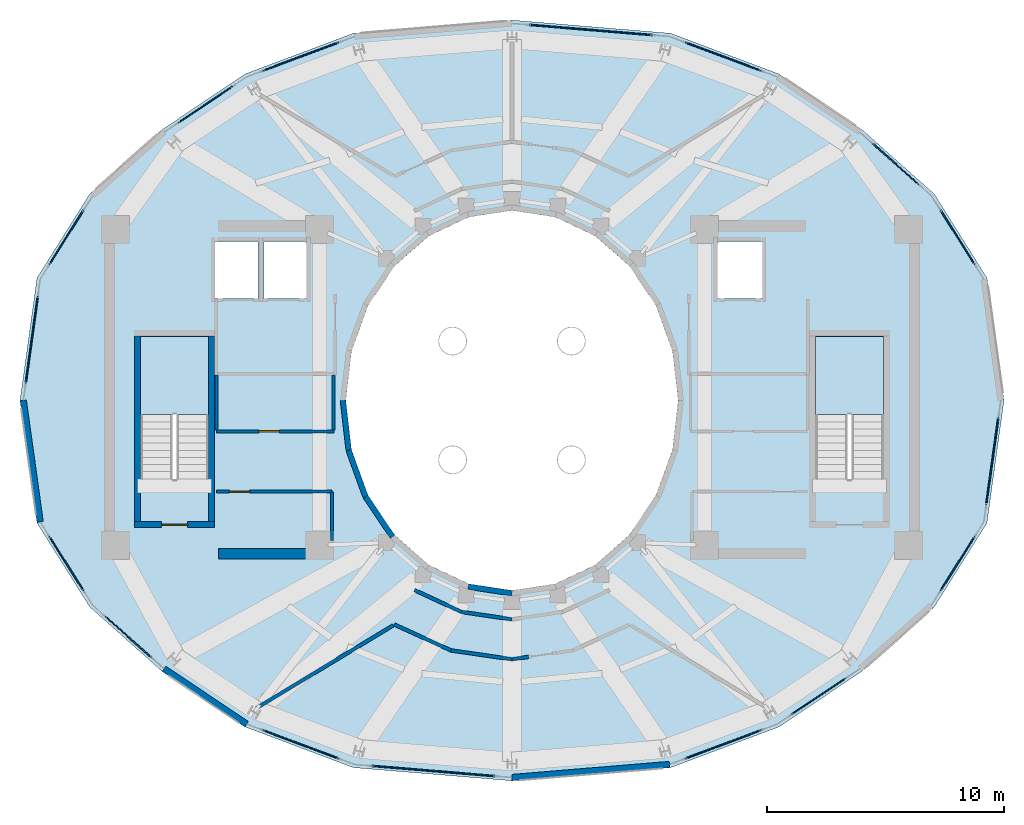
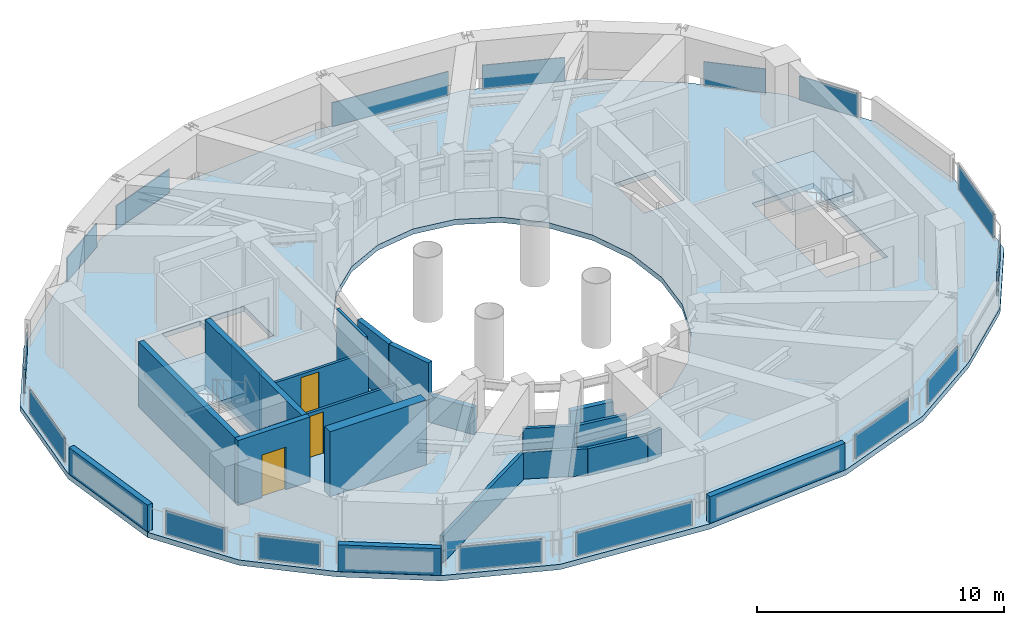
# One storey, part 13 of 18: 22 walls, 16 plates, 3 doors, 3 slabs, 3 openings, 18 elements without a shape of their own.
"""IFC4 building model written with IfcOpenShell, lengths in metres."""

from ifc_helpers import new_model, si_unit, direction, frame, frame_2d, origin, origin_2d, place, context, subcontext, project, spatial, polyline, rectangle, outline, extrude, material, layer, layer_set, type_object, element, fill, aggregate, save


model = new_model("IFC4")

# Units and contexts
model_context = context("Model", 3, precision=1e-05, world=origin(), true_north=direction((0.0, 1.0)))
body_context = subcontext(model_context, "Body", "Model", "MODEL_VIEW")
ifc_project = project(units=[si_unit("LENGTHUNIT", "METRE"), si_unit("AREAUNIT", "SQUARE_METRE"), si_unit("VOLUMEUNIT", "CUBIC_METRE"), si_unit("PLANEANGLEUNIT", "RADIAN"), si_unit("MASSUNIT", "GRAM", prefix="KILO")], contexts=[model_context])

# Site, building, storey
site_placement = place(None, origin())
site = spatial("IfcSite", under=ifc_project, at=site_placement, CompositionType="ELEMENT")
building_placement = place(site_placement, origin())
building = spatial("IfcBuilding", under=site, at=building_placement, Name="Solvane Sanctuary Tower", CompositionType="ELEMENT")
storey_placement = place(building_placement, frame((0.0, 0.0, 266.800048828125)))
storey = spatial("IfcBuildingStorey", under=building, at=storey_placement, Name="L81", CompositionType="ELEMENT", Elevation=266.800048828125)

# Curtain wall, plate
ifc_material_1 = material(Name="Anodised Aluminium 6063-T6", Category="aluminium")
ifc_layer_1 = layer(ifc_material_1, 0.219970703125, Name="Anodised Aluminium 6063-T6")
ifc_layer_set_1 = layer_set([ifc_layer_1], Name="Anodised Aluminium 6063-T6")
curtain_wall_type = type_object("IfcCurtainWallType", Name="Curtain Wall CW-CROWN", PredefinedType="NOTDEFINED", material=ifc_layer_set_1)
curtain_wall_1_placement = place(storey_placement, origin())
curtain_wall_1 = element("IfcCurtainWall", 1, at=curtain_wall_1_placement, inside=storey, type_object=curtain_wall_type, Name="L81 Crown Fritted Lantern Curtain Wall 01", PredefinedType="NOTDEFINED")
ifc_material_2 = material(Name="Acoustic Spandrel Glass", Category="glass")
ifc_layer_2 = layer(ifc_material_2, 0.052001953125, Name="Acoustic Spandrel Glass")
ifc_layer_set_2 = layer_set([ifc_layer_2], Name="Acoustic Spandrel Glass")
plate_type = type_object("IfcPlateType", Name="Plate PN-SPANDREL", PredefinedType="CURTAIN_PANEL", material=ifc_layer_set_2)
plate_1_placement = place(storey_placement, frame((50.765625, 29.86865234375, 0.074951171875), z_axis=(0.0, 0.0, 1.0), x_axis=(-0.532655584308, 0.846332102963, 0.0)))
plate_1 = element("IfcPlate", 2, at=plate_1_placement, type_object=plate_type, Name="CW-CROWN panel 1.1", PredefinedType="CURTAIN_PANEL", context=body_context, shape_type="SweptSolid", body=[
    extrude(rectangle(XDim=2.692626953125, YDim=0.052001953125, at=origin_2d()), origin(), (0.0, 0.0, 1.0), 1.169921875),
])
aggregate(curtain_wall_1, [plate_1])

curtain_wall_2_placement = place(storey_placement, origin())
curtain_wall_2 = element("IfcCurtainWall", 3, at=curtain_wall_2_placement, inside=storey, type_object=curtain_wall_type, Name="L81 Crown Fritted Lantern Curtain Wall 02", PredefinedType="NOTDEFINED")
plate_2_placement = place(storey_placement, frame((48.154541015625, 32.9609375, 0.074951171875), z_axis=(0.0, 0.0, 1.0), x_axis=(-0.74766965203, 0.664070848204, 0.0)))
plate_2 = element("IfcPlate", 4, at=plate_2_placement, type_object=plate_type, Name="CW-CROWN panel 1.1", PredefinedType="CURTAIN_PANEL", context=body_context, shape_type="SweptSolid", body=[
    extrude(rectangle(XDim=2.583251953125, YDim=0.052001953125, at=origin_2d()), origin(), (0.0, 0.0, 1.0), 1.169921875),
])
aggregate(curtain_wall_2, [plate_2])

curtain_wall_3_placement = place(storey_placement, origin())
curtain_wall_3 = element("IfcCurtainWall", 5, at=curtain_wall_3_placement, inside=storey, type_object=curtain_wall_type, Name="L81 Crown Fritted Lantern Curtain Wall 04", PredefinedType="NOTDEFINED")
plate_3_placement = place(storey_placement, frame((40.90283203125, 37.478271484375, 0.074951171875), z_axis=(0.0, 0.0, 1.0), x_axis=(-0.93643670431, 0.350836569959, 0.0)))
plate_3 = element("IfcPlate", 6, at=plate_3_placement, type_object=plate_type, Name="CW-CROWN panel 1.1", PredefinedType="CURTAIN_PANEL", context=body_context, shape_type="SweptSolid", body=[
    extrude(rectangle(XDim=3.40283203125, YDim=0.052001953125, at=origin_2d()), origin(), (0.0, 0.0, 1.0), 1.169921875),
])
aggregate(curtain_wall_3, [plate_3])

curtain_wall_4_placement = place(storey_placement, origin())
curtain_wall_4 = element("IfcCurtainWall", 7, at=curtain_wall_4_placement, inside=storey, type_object=curtain_wall_type, Name="L81 Crown Fritted Lantern Curtain Wall 05", PredefinedType="NOTDEFINED")
plate_4_placement = place(storey_placement, frame((35.315185546875, 38.603759765625, 0.074951171875), z_axis=(0.0, 0.0, 1.0), x_axis=(-0.99659479623, 0.082454909667, 0.0)))
plate_4 = element("IfcPlate", 8, at=plate_4_placement, type_object=plate_type, Name="CW-CROWN panel 1.1", PredefinedType="CURTAIN_PANEL", context=body_context, shape_type="SweptSolid", body=[
    extrude(rectangle(XDim=5.203125, YDim=0.052001953125, at=origin_2d()), origin(), (0.0, 0.0, 1.0), 1.169921875),
])
aggregate(curtain_wall_4, [plate_4])

curtain_wall_5_placement = place(storey_placement, origin())
curtain_wall_5 = element("IfcCurtainWall", 9, at=curtain_wall_5_placement, inside=storey, type_object=curtain_wall_type, Name="L81 Crown Fritted Lantern Curtain Wall 07", PredefinedType="NOTDEFINED")
plate_5_placement = place(storey_placement, frame((23.09716796875, 37.478271484375, 0.074951171875), z_axis=(0.0, 0.0, 1.0), x_axis=(-0.93643670431, -0.350836569959, 0.0)))
plate_5 = element("IfcPlate", 10, at=plate_5_placement, type_object=plate_type, Name="CW-CROWN panel 1.1", PredefinedType="CURTAIN_PANEL", context=body_context, shape_type="SweptSolid", body=[
    extrude(rectangle(XDim=3.40283203125, YDim=0.052001953125, at=origin_2d()), origin(), (0.0, 0.0, 1.0), 1.169921875),
])
aggregate(curtain_wall_5, [plate_5])

curtain_wall_6_placement = place(storey_placement, origin())
curtain_wall_6 = element("IfcCurtainWall", 11, at=curtain_wall_6_placement, inside=storey, type_object=curtain_wall_type, Name="L81 Crown Fritted Lantern Curtain Wall 08", PredefinedType="NOTDEFINED")
plate_6_placement = place(storey_placement, frame((19.089111328125, 35.463623046875, 0.074951171875), z_axis=(0.0, 0.0, 1.0), x_axis=(-0.830701227371, -0.556718484375, 0.0)))
plate_6 = element("IfcPlate", 12, at=plate_6_placement, type_object=plate_type, Name="CW-CROWN panel 1.1", PredefinedType="CURTAIN_PANEL", context=body_context, shape_type="SweptSolid", body=[
    extrude(rectangle(XDim=2.72900390625, YDim=0.052001953125, at=origin_2d()), origin(), (0.0, 0.0, 1.0), 1.169921875),
])
aggregate(curtain_wall_6, [plate_6])

curtain_wall_7_placement = place(storey_placement, origin())
curtain_wall_7 = element("IfcCurtainWall", 13, at=curtain_wall_7_placement, inside=storey, type_object=curtain_wall_type, Name="L81 Crown Fritted Lantern Curtain Wall 10", PredefinedType="NOTDEFINED")
plate_7_placement = place(storey_placement, frame((13.234375, 29.86865234375, 0.074951171875), z_axis=(0.0, 0.0, 1.0), x_axis=(-0.532655584308, -0.846332102963, 0.0)))
plate_7 = element("IfcPlate", 14, at=plate_7_placement, type_object=plate_type, Name="CW-CROWN panel 1.1", PredefinedType="CURTAIN_PANEL", context=body_context, shape_type="SweptSolid", body=[
    extrude(rectangle(XDim=2.692626953125, YDim=0.052001953125, at=origin_2d()), origin(), (0.0, 0.0, 1.0), 1.169921875),
])
aggregate(curtain_wall_7, [plate_7])

curtain_wall_8_placement = place(storey_placement, origin())
curtain_wall_8 = element("IfcCurtainWall", 15, at=curtain_wall_8_placement, inside=storey, type_object=curtain_wall_type, Name="L81 Crown Fritted Lantern Curtain Wall 11", PredefinedType="NOTDEFINED")
plate_8_placement = place(storey_placement, frame((11.775634765625, 25.557861328125, 0.074951171875), z_axis=(0.0, 0.0, 1.0), x_axis=(-0.137674843105, -0.990477479591, 0.0)))
plate_8 = element("IfcPlate", 16, at=plate_8_placement, type_object=plate_type, Name="CW-CROWN panel 1.1", PredefinedType="CURTAIN_PANEL", context=body_context, shape_type="SweptSolid", body=[
    extrude(rectangle(XDim=3.71484375, YDim=0.052001953125, at=origin_2d()), origin(), (0.0, 0.0, 1.0), 1.169921875),
])
aggregate(curtain_wall_8, [plate_8])

curtain_wall_9_placement = place(storey_placement, origin())
curtain_wall_9 = element("IfcCurtainWall", 17, at=curtain_wall_9_placement, inside=storey, type_object=curtain_wall_type, Name="L81 Crown Fritted Lantern Curtain Wall 13", PredefinedType="NOTDEFINED")
plate_9_placement = place(storey_placement, frame((13.234375, 16.13134765625, 0.074951171875), z_axis=(0.0, 0.0, 1.0), x_axis=(0.532655584308, -0.846332102963, 0.0)))
plate_9 = element("IfcPlate", 18, at=plate_9_placement, type_object=plate_type, Name="CW-CROWN panel 1.1", PredefinedType="CURTAIN_PANEL", context=body_context, shape_type="SweptSolid", body=[
    extrude(rectangle(XDim=2.692626953125, YDim=0.052001953125, at=origin_2d()), origin(), (0.0, 0.0, 1.0), 1.169921875),
])
aggregate(curtain_wall_9, [plate_9])

curtain_wall_10_placement = place(storey_placement, origin())
curtain_wall_10 = element("IfcCurtainWall", 19, at=curtain_wall_10_placement, inside=storey, type_object=curtain_wall_type, Name="L81 Crown Fritted Lantern Curtain Wall 14", PredefinedType="NOTDEFINED")
plate_10_placement = place(storey_placement, frame((15.845458984375, 13.0390625, 0.074951171875), z_axis=(0.0, 0.0, 1.0), x_axis=(0.74766965203, -0.664070848204, 0.0)))
plate_10 = element("IfcPlate", 20, at=plate_10_placement, type_object=plate_type, Name="CW-CROWN panel 1.1", PredefinedType="CURTAIN_PANEL", context=body_context, shape_type="SweptSolid", body=[
    extrude(rectangle(XDim=2.583251953125, YDim=0.052001953125, at=origin_2d()), origin(), (0.0, 0.0, 1.0), 1.169921875),
])
aggregate(curtain_wall_10, [plate_10])

curtain_wall_11_placement = place(storey_placement, origin())
curtain_wall_11 = element("IfcCurtainWall", 21, at=curtain_wall_11_placement, inside=storey, type_object=curtain_wall_type, Name="L81 Crown Fritted Lantern Curtain Wall 16", PredefinedType="NOTDEFINED")
plate_11_placement = place(storey_placement, frame((23.09716796875, 8.521728515625, 0.074951171875), z_axis=(0.0, 0.0, 1.0), x_axis=(0.93643670431, -0.350836569959, 0.0)))
plate_11 = element("IfcPlate", 22, at=plate_11_placement, type_object=plate_type, Name="CW-CROWN panel 1.1", PredefinedType="CURTAIN_PANEL", context=body_context, shape_type="SweptSolid", body=[
    extrude(rectangle(XDim=3.40283203125, YDim=0.052001953125, at=origin_2d()), origin(), (0.0, 0.0, 1.0), 1.169921875),
])
aggregate(curtain_wall_11, [plate_11])

curtain_wall_12_placement = place(storey_placement, origin())
curtain_wall_12 = element("IfcCurtainWall", 23, at=curtain_wall_12_placement, inside=storey, type_object=curtain_wall_type, Name="L81 Crown Fritted Lantern Curtain Wall 17", PredefinedType="NOTDEFINED")
plate_12_placement = place(storey_placement, frame((28.684814453125, 7.396240234375, 0.074951171875), z_axis=(0.0, 0.0, 1.0), x_axis=(0.99659479623, -0.082454909667, 0.0)))
plate_12 = element("IfcPlate", 24, at=plate_12_placement, type_object=plate_type, Name="CW-CROWN panel 1.1", PredefinedType="CURTAIN_PANEL", context=body_context, shape_type="SweptSolid", body=[
    extrude(rectangle(XDim=5.203125, YDim=0.052001953125, at=origin_2d()), origin(), (0.0, 0.0, 1.0), 1.169921875),
])
aggregate(curtain_wall_12, [plate_12])

curtain_wall_13_placement = place(storey_placement, origin())
curtain_wall_13 = element("IfcCurtainWall", 25, at=curtain_wall_13_placement, inside=storey, type_object=curtain_wall_type, Name="L81 Crown Fritted Lantern Curtain Wall 19", PredefinedType="NOTDEFINED")
plate_13_placement = place(storey_placement, frame((40.90283203125, 8.521728515625, 0.074951171875), z_axis=(0.0, 0.0, 1.0), x_axis=(0.93643670431, 0.350836569959, 0.0)))
plate_13 = element("IfcPlate", 26, at=plate_13_placement, type_object=plate_type, Name="CW-CROWN panel 1.1", PredefinedType="CURTAIN_PANEL", context=body_context, shape_type="SweptSolid", body=[
    extrude(rectangle(XDim=3.40283203125, YDim=0.052001953125, at=origin_2d()), origin(), (0.0, 0.0, 1.0), 1.169921875),
])
aggregate(curtain_wall_13, [plate_13])

curtain_wall_14_placement = place(storey_placement, origin())
curtain_wall_14 = element("IfcCurtainWall", 27, at=curtain_wall_14_placement, inside=storey, type_object=curtain_wall_type, Name="L81 Crown Fritted Lantern Curtain Wall 20", PredefinedType="NOTDEFINED")
plate_14_placement = place(storey_placement, frame((44.910888671875, 10.536376953125, 0.074951171875), z_axis=(0.0, 0.0, 1.0), x_axis=(0.830701227371, 0.556718484375, 0.0)))
plate_14 = element("IfcPlate", 28, at=plate_14_placement, type_object=plate_type, Name="CW-CROWN panel 1.1", PredefinedType="CURTAIN_PANEL", context=body_context, shape_type="SweptSolid", body=[
    extrude(rectangle(XDim=2.72900390625, YDim=0.052001953125, at=origin_2d()), origin(), (0.0, 0.0, 1.0), 1.169921875),
])
aggregate(curtain_wall_14, [plate_14])

curtain_wall_15_placement = place(storey_placement, origin())
curtain_wall_15 = element("IfcCurtainWall", 29, at=curtain_wall_15_placement, inside=storey, type_object=curtain_wall_type, Name="L81 Crown Fritted Lantern Curtain Wall 22", PredefinedType="NOTDEFINED")
plate_15_placement = place(storey_placement, frame((50.765625, 16.13134765625, 0.074951171875), z_axis=(0.0, 0.0, 1.0), x_axis=(0.532655584308, 0.846332102963, 0.0)))
plate_15 = element("IfcPlate", 30, at=plate_15_placement, type_object=plate_type, Name="CW-CROWN panel 1.1", PredefinedType="CURTAIN_PANEL", context=body_context, shape_type="SweptSolid", body=[
    extrude(rectangle(XDim=2.692626953125, YDim=0.052001953125, at=origin_2d()), origin(), (0.0, 0.0, 1.0), 1.169921875),
])
aggregate(curtain_wall_15, [plate_15])

curtain_wall_16_placement = place(storey_placement, origin())
curtain_wall_16 = element("IfcCurtainWall", 31, at=curtain_wall_16_placement, inside=storey, type_object=curtain_wall_type, Name="L81 Crown Fritted Lantern Curtain Wall 23", PredefinedType="NOTDEFINED")
plate_16_placement = place(storey_placement, frame((52.224365234375, 20.442138671875, 0.074951171875), z_axis=(0.0, 0.0, 1.0), x_axis=(0.137674843105, 0.990477479591, 0.0)))
plate_16 = element("IfcPlate", 32, at=plate_16_placement, type_object=plate_type, Name="CW-CROWN panel 1.1", PredefinedType="CURTAIN_PANEL", context=body_context, shape_type="SweptSolid", body=[
    extrude(rectangle(XDim=3.71484375, YDim=0.052001953125, at=origin_2d()), origin(), (0.0, 0.0, 1.0), 1.169921875),
])
aggregate(curtain_wall_16, [plate_16])

# Slab
ifc_material_3 = material(Name="Concrete C50/60", Category="concrete")
ifc_layer_3 = layer(ifc_material_3, 0.260009765625, Name="Concrete C50/60")
ifc_layer_set_3 = layer_set([ifc_layer_3], Name="Concrete C50/60")
slab_type_1 = type_object("IfcSlabType", Name="Slab SL-CROWN-260", PredefinedType="FLOOR", material=ifc_layer_set_3)
slab_1_placement = place(storey_placement, frame((0.0, 0.0, -0.260009765625)))
element("IfcSlab", 33, at=slab_1_placement, inside=storey, type_object=slab_type_1, Name="L81 Primary Structural Slab", PredefinedType="FLOOR", context=body_context, shape_type="SweptSolid", body=[
    extrude(outline(polyline([(52.719970703125, 23.0), (52.004150390625, 28.160888671875), (49.782470703125, 31.69775390625), (46.746337890625, 34.39990234375), (43.251220703125, 36.7470703125), (38.67578125, 38.464599609375), (32.0, 39.01806640625), (25.32421875, 38.464599609375), (20.748779296875, 36.7470703125), (17.253662109375, 34.39990234375), (14.217529296875, 31.69775390625), (11.995849609375, 28.160888671875), (11.280029296875, 23.0), (11.995849609375, 17.839111328125), (14.217529296875, 14.30224609375), (17.253662109375, 11.60009765625), (20.748779296875, 9.2529296875), (25.32421875, 7.535400390625), (32.0, 6.98193359375), (38.67578125, 7.535400390625), (43.251220703125, 9.2529296875), (46.746337890625, 11.60009765625), (49.782470703125, 14.30224609375), (52.004150390625, 17.839111328125), (52.719970703125, 23.0)]), holes=[polyline([(38.761474609375, 20.929443359375), (38.062255859375, 19.0), (36.94970703125, 17.343017578125), (35.5, 16.07177734375), (33.811767578125, 15.272705078125), (32.0, 15.0), (30.188232421875, 15.272705078125), (28.5, 16.07177734375), (27.05029296875, 17.343017578125), (25.937744140625, 19.0), (25.238525390625, 20.929443359375), (25.0, 23.0), (25.238525390625, 25.070556640625), (25.937744140625, 27.0), (27.05029296875, 28.656982421875), (28.5, 29.92822265625), (30.188232421875, 30.727294921875), (32.0, 31.0), (33.811767578125, 30.727294921875), (35.5, 29.92822265625), (36.94970703125, 28.656982421875), (38.062255859375, 27.0), (38.761474609375, 25.070556640625), (39.0, 23.0), (38.761474609375, 20.929443359375)]), polyline([(16.360107421875, 19.699951171875), (16.360107421875, 25.699951171875), (19.219970703125, 25.699951171875), (19.219970703125, 19.699951171875), (16.360107421875, 19.699951171875)]), polyline([(44.780029296875, 19.699951171875), (44.780029296875, 25.699951171875), (47.639892578125, 25.699951171875), (47.639892578125, 19.699951171875), (44.780029296875, 19.699951171875)]), polyline([(19.5, 29.699951171875), (21.300048828125, 29.699951171875), (21.300048828125, 27.300048828125), (19.5, 27.300048828125), (19.5, 29.699951171875)]), polyline([(21.550048828125, 29.699951171875), (23.35009765625, 29.699951171875), (23.35009765625, 27.300048828125), (21.550048828125, 27.300048828125), (21.550048828125, 29.699951171875)]), polyline([(40.64990234375, 29.699951171875), (42.550048828125, 29.699951171875), (42.550048828125, 27.300048828125), (40.64990234375, 27.300048828125), (40.64990234375, 29.699951171875)])]), origin(), (0.0, 0.0, 1.0), 0.260009765625),
])

# Stair, slab
ifc_material_4 = material(Name="Concrete C45/55", Category="concrete")
stair_type = type_object("IfcStairType", Name="Stair ST-TOW", PredefinedType="HALF_TURN_STAIR", material=ifc_material_4)
stair_1_placement = place(storey_placement, origin())
stair_1 = element("IfcStair", 34, at=stair_1_placement, inside=storey, type_object=stair_type, Name="L81 Exit Stair ST-1 West Core", PredefinedType="HALF_TURN_STAIR")
ifc_layer_4 = layer(ifc_material_4, 0.199951171875, Name="Concrete C45/55")
ifc_layer_set_4 = layer_set([ifc_layer_4], Name="Concrete C45/55")
slab_type_2 = type_object("IfcSlabType", Name="Slab SL-LAND-180", PredefinedType="LANDING", material=ifc_layer_set_4)
slab_2_placement = place(storey_placement, frame((0.0, 0.0, 1.39990234375)))
slab_2 = element("IfcSlab", 35, at=slab_2_placement, type_object=slab_type_2, Name="ST-1 landing 1", PredefinedType="LANDING", context=body_context, shape_type="SweptSolid", body=[
    extrude(outline(polyline([(19.219970703125, 22.39990234375), (19.219970703125, 25.699951171875), (16.360107421875, 25.699951171875), (16.360107421875, 22.39990234375), (19.219970703125, 22.39990234375)])), origin(), (0.0, 0.0, 1.0), 0.199951171875),
])
aggregate(stair_1, [slab_2])

stair_2_placement = place(storey_placement, origin())
stair_2 = element("IfcStair", 36, at=stair_2_placement, inside=storey, type_object=stair_type, Name="L81 Exit Stair ST-2 East Core", PredefinedType="HALF_TURN_STAIR")
slab_3_placement = place(storey_placement, frame((0.0, 0.0, 1.39990234375)))
slab_3 = element("IfcSlab", 37, at=slab_3_placement, type_object=slab_type_2, Name="ST-2 landing 1", PredefinedType="LANDING", context=body_context, shape_type="SweptSolid", body=[
    extrude(outline(polyline([(47.639892578125, 22.39990234375), (47.639892578125, 25.699951171875), (44.780029296875, 25.699951171875), (44.780029296875, 22.39990234375), (47.639892578125, 22.39990234375)])), origin(), (0.0, 0.0, 1.0), 0.199951171875),
])
aggregate(stair_2, [slab_3])

# Walls
ifc_layer_5 = layer(ifc_material_3, 0.449951171875, Name="Concrete C50/60")
ifc_layer_set_5 = layer_set([ifc_layer_5], Name="Concrete C50/60")
wall_type_1 = type_object("IfcWallType", Name="Wall W-CORE-450", PredefinedType="SHEAR", material=ifc_layer_set_5)
wall_1_placement = place(storey_placement, frame((19.64990234375, 16.550048828125, 0.0), z_axis=(0.0, 0.0, 1.0), x_axis=(1.0, 0.0, 0.0)))
element("IfcWall", 38, at=wall_1_placement, inside=storey, type_object=wall_type_1, Name="L81 Core Shear Wall WC-S", PredefinedType="SHEAR", context=body_context, shape_type="SweptSolid", body=[
    extrude(rectangle(XDim=4.5, YDim=0.449951171875, at=frame_2d((2.25, 0.0))), origin(), (0.0, 0.0, 1.0), 3.199951171875),
])
ifc_material_5 = material(Name="Acoustic Gypsum Partition Board")
ifc_layer_6 = layer(ifc_material_5, 0.14990234375, Name="Acoustic Gypsum Partition Board")
ifc_layer_set_6 = layer_set([ifc_layer_6], Name="Acoustic Gypsum Partition Board")
wall_type_2 = type_object("IfcWallType", Name="Wall W-CORR-150", PredefinedType="PARTITIONING", material=ifc_layer_set_6)
wall_2_placement = place(storey_placement, frame((27.889892578125, 15.01513671875, 0.0), z_axis=(0.0, 0.0, 1.0), x_axis=(0.906943449489, -0.421252393975, 0.0)))
element("IfcWall", 39, at=wall_2_placement, inside=storey, type_object=wall_type_2, Name="L81 Light-Well Corridor Rim Wall S1", PredefinedType="PARTITIONING", context=body_context, shape_type="SweptSolid", body=[
    extrude(rectangle(XDim=2.18603515625, YDim=0.14990234375, at=frame_2d((1.093017578125, 0.0))), origin(), (0.0, 0.0, 1.0), 1.320068359375),
])
wall_3_placement = place(storey_placement, frame((29.87255859375, 14.09423828125, 0.0), z_axis=(0.0, 0.0, 1.0), x_axis=(0.989268584896, -0.146108408166, 0.0)))
element("IfcWall", 40, at=wall_3_placement, inside=storey, type_object=wall_type_2, Name="L81 Light-Well Corridor Rim Wall S2", PredefinedType="PARTITIONING", context=body_context, shape_type="SweptSolid", body=[
    extrude(rectangle(XDim=2.150634765625, YDim=0.14990234375, at=frame_2d((1.0751953125, 0.0))), origin(), (0.0, 0.0, 1.0), 1.320068359375),
])
wall_4_placement = place(storey_placement, frame((27.0029296875, 13.53173828125, 0.0), z_axis=(0.0, 0.0, 1.0), x_axis=(-0.855519935897, -0.517769870969, 0.0)))
element("IfcWall", 41, at=wall_4_placement, inside=storey, type_object=wall_type_2, Name="L81 Mechanical Plant Radial Wall 240", PredefinedType="PARTITIONING", context=body_context, shape_type="SweptSolid", body=[
    extrude(rectangle(XDim=6.736083984375, YDim=0.14990234375, at=frame_2d((3.3681640625, 0.0))), origin(), (0.0, 0.0, 1.0), 1.320068359375),
])
wall_5_placement = place(storey_placement, frame((27.0439453125, 13.564208984375, 0.0), z_axis=(0.0, 0.0, 1.0), x_axis=(0.909736731002, -0.415185597373, 0.0)))
element("IfcWall", 42, at=wall_5_placement, inside=storey, type_object=wall_type_2, Name="L81 Plant Corridor Wall 3", PredefinedType="PARTITIONING", context=body_context, shape_type="SweptSolid", body=[
    extrude(rectangle(XDim=2.63330078125, YDim=0.14990234375, at=frame_2d((1.316650390625, 0.0))), origin(), (0.0, 0.0, 1.0), 1.320068359375),
])
wall_6_placement = place(storey_placement, frame((29.43603515625, 12.471923828125, 0.0), z_axis=(0.0, 0.0, 1.0), x_axis=(0.989661180186, -0.143425062082, 0.0)))
element("IfcWall", 43, at=wall_6_placement, inside=storey, type_object=wall_type_2, Name="L81 Plant Corridor Wall 3", PredefinedType="PARTITIONING", context=body_context, shape_type="SweptSolid", body=[
    extrude(rectangle(XDim=2.592529296875, YDim=0.14990234375, at=frame_2d((1.29638671875, 0.0))), origin(), (0.0, 0.0, 1.0), 1.320068359375),
])
wall_7_placement = place(storey_placement, frame((31.998291015625, 12.10009765625, 0.0), z_axis=(0.0, 0.0, 1.0), x_axis=(0.989700813976, 0.143151314404, 0.0)))
element("IfcWall", 44, at=wall_7_placement, inside=storey, type_object=wall_type_2, Name="L81 Plant Corridor Wall 3", PredefinedType="PARTITIONING", context=body_context, shape_type="SweptSolid", body=[
    extrude(rectangle(XDim=0.711181640625, YDim=0.14990234375, at=frame_2d((0.35546875, 0.0))), origin(), (0.0, 0.0, 1.0), 1.320068359375),
])
ifc_material_6 = material(Name="Precast concrete C40/50", Category="concrete")
ifc_layer_7 = layer(ifc_material_6, 0.260009765625, Name="Precast concrete C40/50")
ifc_layer_set_7 = layer_set([ifc_layer_7], Name="Precast concrete C40/50")
wall_type_3 = type_object("IfcWallType", Name="Wall W-EXT-250", PredefinedType="STANDARD", material=ifc_layer_set_7)
wall_8_placement = place(storey_placement, frame((11.419921875, 23.0, 0.0), z_axis=(0.0, 0.0, 1.0), x_axis=(0.137694611679, -0.990474731588, 0.0)))
element("IfcWall", 45, at=wall_8_placement, inside=storey, type_object=wall_type_3, Name="L81 Crown Acoustic Louvred Wall 12", PredefinedType="STANDARD", context=body_context, shape_type="SweptSolid", body=[
    extrude(rectangle(XDim=5.1650390625, YDim=0.260009765625, at=frame_2d((2.58251953125, 0.0))), origin(), (0.0, 0.0, 1.0), 1.320068359375),
])
wall_9_placement = place(storey_placement, frame((17.353271484375, 11.69970703125, 0.0), z_axis=(0.0, 0.0, 1.0), x_axis=(0.830699736256, -0.556720709319, 0.0)))
element("IfcWall", 46, at=wall_9_placement, inside=storey, type_object=wall_type_3, Name="L81 Crown Acoustic Louvred Wall 15", PredefinedType="STANDARD", context=body_context, shape_type="SweptSolid", body=[
    extrude(rectangle(XDim=4.17919921875, YDim=0.260009765625, at=frame_2d((2.089599609375, 0.0))), origin(), (0.0, 0.0, 1.0), 1.320068359375),
])
wall_10_placement = place(storey_placement, frame((32.0, 7.1220703125, 0.0), z_axis=(0.0, 0.0, 1.0), x_axis=(0.996594930521, 0.08245328653, 0.0)))
element("IfcWall", 47, at=wall_10_placement, inside=storey, type_object=wall_type_3, Name="L81 Crown Acoustic Louvred Wall 18", PredefinedType="STANDARD", context=body_context, shape_type="SweptSolid", body=[
    extrude(rectangle(XDim=6.6533203125, YDim=0.260009765625, at=frame_2d((3.32666015625, 0.0))), origin(), (0.0, 0.0, 1.0), 1.320068359375),
])
ifc_layer_8 = layer(ifc_material_6, 0.22998046875, Name="Precast concrete C40/50")
ifc_layer_set_8 = layer_set([ifc_layer_8], Name="Precast concrete C40/50")
wall_type_4 = type_object("IfcWallType", Name="Wall W-EXT-SP220", PredefinedType="STANDARD", material=ifc_layer_set_8)
wall_11_placement = place(storey_placement, frame((24.8798828125, 23.0, 0.0), z_axis=(0.0, 0.0, 1.0), x_axis=(0.114711713601, -0.993398823617, 0.0)))
element("IfcWall", 48, at=wall_11_placement, inside=storey, type_object=wall_type_4, Name="L81 Central Light-Well Wall 12", PredefinedType="STANDARD", context=body_context, shape_type="SweptSolid", body=[
    extrude(rectangle(XDim=2.115478515625, YDim=0.22998046875, at=frame_2d((1.0576171875, 0.0))), origin(), (0.0, 0.0, 1.0), 2.89990234375),
])
wall_12_placement = place(storey_placement, frame((25.12255859375, 20.8984375, 0.0), z_axis=(0.0, 0.0, 1.0), x_axis=(0.341423187295, -0.93990968033, 0.0)))
element("IfcWall", 49, at=wall_12_placement, inside=storey, type_object=wall_type_4, Name="L81 Central Light-Well Wall 13", PredefinedType="STANDARD", context=body_context, shape_type="SweptSolid", body=[
    extrude(rectangle(XDim=2.083740234375, YDim=0.22998046875, at=frame_2d((1.0419921875, 0.0))), origin(), (0.0, 0.0, 1.0), 2.89990234375),
])
wall_13_placement = place(storey_placement, frame((25.833984375, 18.93994140625, 0.0), z_axis=(0.0, 0.0, 1.0), x_axis=(0.558197800898, -0.829707909492, 0.0)))
element("IfcWall", 50, at=wall_13_placement, inside=storey, type_object=wall_type_4, Name="L81 Central Light-Well Wall 14", PredefinedType="STANDARD", context=body_context, shape_type="SweptSolid", body=[
    extrude(rectangle(XDim=2.02685546875, YDim=0.22998046875, at=frame_2d((1.013427734375, 0.0))), origin(), (0.0, 0.0, 1.0), 1.320068359375),
])
wall_14_placement = place(storey_placement, frame((30.1572265625, 15.15673828125, 0.0), z_axis=(0.0, 0.0, 1.0), x_axis=(0.988901730308, -0.148571086668, 0.0)))
element("IfcWall", 51, at=wall_14_placement, inside=storey, type_object=wall_type_4, Name="L81 Central Light-Well Wall 17", PredefinedType="STANDARD", context=body_context, shape_type="SweptSolid", body=[
    extrude(rectangle(XDim=1.863525390625, YDim=0.22998046875, at=frame_2d((0.931640625, 0.0))), origin(), (0.0, 0.0, 1.0), 1.320068359375),
])

# Wall, opening, door
ifc_layer_9 = layer(ifc_material_5, 0.125, Name="Acoustic Gypsum Partition Board")
ifc_layer_set_9 = layer_set([ifc_layer_9], Name="Acoustic Gypsum Partition Board")
wall_type_5 = type_object("IfcWallType", Name="Wall W-PART-125", PredefinedType="PARTITIONING", material=ifc_layer_set_9)
wall_15_placement = place(storey_placement, frame((19.550048828125, 19.159912109375, 0.0), z_axis=(0.0, 0.0, 1.0), x_axis=(1.0, 0.0, 0.0)))
wall_15 = element("IfcWall", 52, at=wall_15_placement, inside=storey, type_object=wall_type_5, Name="L81 Reclaimed Room Partition PLW", PredefinedType="PARTITIONING", context=body_context, shape_type="SweptSolid", body=[
    extrude(rectangle(XDim=4.869873046875, YDim=0.125, at=frame_2d((2.43505859375, 0.0))), origin(), (0.0, 0.0, 1.0), 2.219970703125),
])
opening_1_placement = place(wall_15_placement, frame((0.550048828125, 0.0, 0.0)))
opening_1 = element("IfcOpeningElement", 53, at=opening_1_placement, cuts=wall_15, Name="Opening D-L81-05", PredefinedType="OPENING", context=body_context, shape_type="SweptSolid", body=[
    extrude(rectangle(XDim=0.85009765625, YDim=2.050048828125, at=frame_2d((0.425048828125, 1.02490234375))), frame((0.0, 0.072509765625, 0.0), z_axis=(0.0, -1.0, 0.0), x_axis=(1.0, 0.0, 0.0)), (0.0, 0.0, 1.0), 0.14501953125),
])
ifc_material_7 = material(Name="Architectural Stainless Steel 316", Category="steel")
door_type_1 = type_object("IfcDoorType", Name="Door D-RISER", OperationType="NOTDEFINED", PredefinedType="DOOR", material=ifc_material_7)
door_1_placement = place(opening_1_placement, origin())
door_1 = element("IfcDoor", 54, at=door_1_placement, inside=storey, type_object=door_type_1, Name="L81 Reclaimed Room Door PLW-1", OperationType="SINGLE_SWING_LEFT", OverallHeight=2.050048828125, OverallWidth=0.85009765625, PredefinedType="DOOR", context=body_context, shape_type="SweptSolid", body=[
    extrude(rectangle(XDim=0.85009765625, YDim=2.050048828125, at=frame_2d((0.425048828125, 1.02490234375))), frame((0.0, 0.02490234375, 0.0), z_axis=(0.0, -1.0, 0.0), x_axis=(1.0, 0.0, 0.0)), (0.0, 0.0, 1.0), 0.050048828125),
])
fill(opening_1, door_1)

# Wall
wall_16_placement = place(storey_placement, frame((24.419921875, 17.10009765625, 0.0), z_axis=(0.0, 0.0, 1.0), x_axis=(0.0, 1.0, 0.0)))
element("IfcWall", 55, at=wall_16_placement, inside=storey, type_object=wall_type_5, Name="L81 Reclaimed Room Closer Wall PLW-1", PredefinedType="PARTITIONING", context=body_context, shape_type="SweptSolid", body=[
    extrude(rectangle(XDim=2.039794921875, YDim=0.125, at=frame_2d((1.02001953125, 0.0))), origin(), (0.0, 0.0, 1.0), 2.490966796875),
])

# Wall, opening, door
wall_17_placement = place(storey_placement, frame((19.550048828125, 21.699951171875, 0.0), z_axis=(0.0, 0.0, 1.0), x_axis=(1.0, 0.0, 0.0)))
wall_17 = element("IfcWall", 56, at=wall_17_placement, inside=storey, type_object=wall_type_5, Name="L81 Reclaimed Room Partition PMW", PredefinedType="PARTITIONING", context=body_context, shape_type="SweptSolid", body=[
    extrude(rectangle(XDim=4.949951171875, YDim=0.125, at=frame_2d((2.47509765625, 0.0))), origin(), (0.0, 0.0, 1.0), 2.219970703125),
])
opening_2_placement = place(wall_17_placement, frame((1.800048828125, 0.0, 0.0)))
opening_2 = element("IfcOpeningElement", 57, at=opening_2_placement, cuts=wall_17, Name="Opening D-L81-07", PredefinedType="OPENING", context=body_context, shape_type="SweptSolid", body=[
    extrude(rectangle(XDim=0.85009765625, YDim=2.050048828125, at=frame_2d((0.425048828125, 1.02490234375))), frame((0.0, 0.072509765625, 0.0), z_axis=(0.0, -1.0, 0.0), x_axis=(1.0, 0.0, 0.0)), (0.0, 0.0, 1.0), 0.14501953125),
])
door_2_placement = place(opening_2_placement, origin())
door_2 = element("IfcDoor", 58, at=door_2_placement, inside=storey, type_object=door_type_1, Name="L81 Reclaimed Room Door PMW-1", OperationType="SINGLE_SWING_LEFT", OverallHeight=2.050048828125, OverallWidth=0.85009765625, PredefinedType="DOOR", context=body_context, shape_type="SweptSolid", body=[
    extrude(rectangle(XDim=0.85009765625, YDim=2.050048828125, at=frame_2d((0.425048828125, 1.02490234375))), frame((0.0, 0.02490234375, 0.0), z_axis=(0.0, -1.0, 0.0), x_axis=(1.0, 0.0, 0.0)), (0.0, 0.0, 1.0), 0.050048828125),
])
fill(opening_2, door_2)

# Walls
for number, where, z_axis, x_axis, name in (
    (59, (19.550048828125, 21.760009765625, 0.0), (0.0, 0.0, 1.0), (0.0, 1.0, 0.0), "L81 Reclaimed Room Closer Wall PMW-1"),
    (60, (24.47998046875, 21.760009765625, 0.0), (0.0, 0.0, 1.0), (0.0, 1.0, 0.0), "L81 Reclaimed Room Closer Wall PMW-2"),
):
    element("IfcWall", number, at=place(storey_placement, frame(where, z_axis=z_axis, x_axis=x_axis)), inside=storey, type_object=wall_type_5, Name=name, PredefinedType="PARTITIONING", context=body_context, shape_type="SweptSolid", body=[
        extrude(rectangle(XDim=2.320068359375, YDim=0.125, at=frame_2d((1.16015625, 0.0))), origin(), (0.0, 0.0, 1.0), 2.9150390625),
    ])

# Wall, opening, door
ifc_layer_10 = layer(ifc_material_3, 0.25, Name="Concrete C50/60")
ifc_layer_set_10 = layer_set([ifc_layer_10], Name="Concrete C50/60")
wall_type_6 = type_object("IfcWallType", Name="Wall W-SHAFT-250", PredefinedType="SOLIDWALL", material=ifc_layer_set_10)
wall_18_placement = place(storey_placement, frame((16.10498046875, 17.77001953125, 0.0), z_axis=(0.0, 0.0, 1.0), x_axis=(1.0, 0.0, 0.0)))
wall_18 = element("IfcWall", 61, at=wall_18_placement, inside=storey, type_object=wall_type_6, Name="L81 ST-1 Load-Bearing Shaft Wall S", PredefinedType="SOLIDWALL", context=body_context, shape_type="SweptSolid", body=[
    extrude(rectangle(XDim=3.3701171875, YDim=0.25, at=frame_2d((1.68505859375, 0.0))), origin(), (0.0, 0.0, 1.0), 3.199951171875),
])
opening_3_placement = place(wall_18_placement, frame((1.135009765625, 0.0, 0.0)))
opening_3 = element("IfcOpeningElement", 62, at=opening_3_placement, cuts=wall_18, Name="Opening D-L81-01", PredefinedType="OPENING", context=body_context, shape_type="SweptSolid", body=[
    extrude(rectangle(XDim=1.10009765625, YDim=2.10009765625, at=frame_2d((0.550048828125, 1.050048828125))), frame((0.0, 0.135009765625, 0.0), z_axis=(0.0, -1.0, 0.0), x_axis=(1.0, 0.0, 0.0)), (0.0, 0.0, 1.0), 0.27001953125),
])
door_type_2 = type_object("IfcDoorType", Name="Door D-STAIR", OperationType="NOTDEFINED", PredefinedType="DOOR", material=ifc_material_7)
door_3_placement = place(opening_3_placement, origin())
door_3 = element("IfcDoor", 63, at=door_3_placement, inside=storey, type_object=door_type_2, Name="L81 ST-1 Exit Stair Fire Door", OperationType="SINGLE_SWING_LEFT", OverallHeight=2.10009765625, OverallWidth=1.10009765625, PredefinedType="DOOR", context=body_context, shape_type="SweptSolid", body=[
    extrude(rectangle(XDim=1.10009765625, YDim=2.10009765625, at=frame_2d((0.550048828125, 1.050048828125))), frame((0.0, 0.02490234375, 0.0), z_axis=(0.0, -1.0, 0.0), x_axis=(1.0, 0.0, 0.0)), (0.0, 0.0, 1.0), 0.050048828125),
])
fill(opening_3, door_3)

# Walls
for number, where, z_axis, x_axis, name in (
    (64, (16.22998046875, 17.89501953125, 0.0), (0.0, 0.0, 1.0), (0.0, 1.0, 0.0), "L81 ST-1 Load-Bearing Shaft Wall W"),
    (65, (19.35009765625, 17.89501953125, 0.0), (0.0, 0.0, 1.0), (0.0, 1.0, 0.0), "L81 ST-1 Load-Bearing Shaft Wall E"),
):
    element("IfcWall", number, at=place(storey_placement, frame(where, z_axis=z_axis, x_axis=x_axis)), inside=storey, type_object=wall_type_6, Name=name, PredefinedType="SOLIDWALL", context=body_context, shape_type="SweptSolid", body=[
        extrude(rectangle(XDim=7.81005859375, YDim=0.25, at=frame_2d((3.905029296875, 0.0))), origin(), (0.0, 0.0, 1.0), 3.199951171875),
    ])

save(model, "model.ifc")
